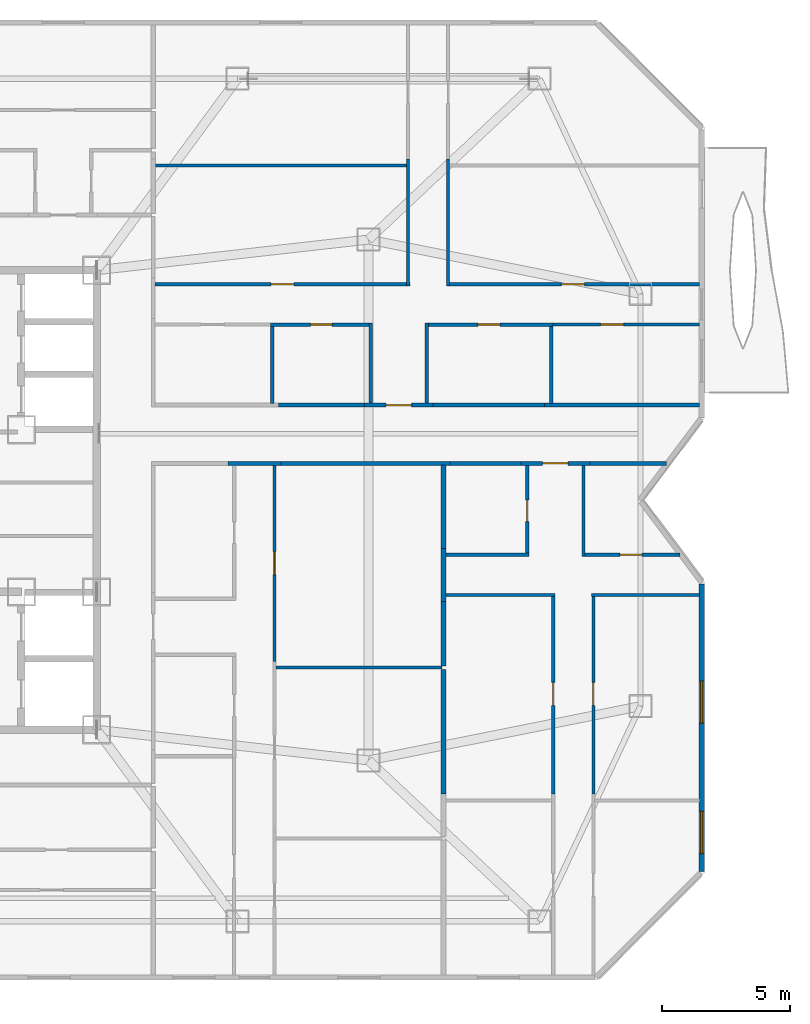
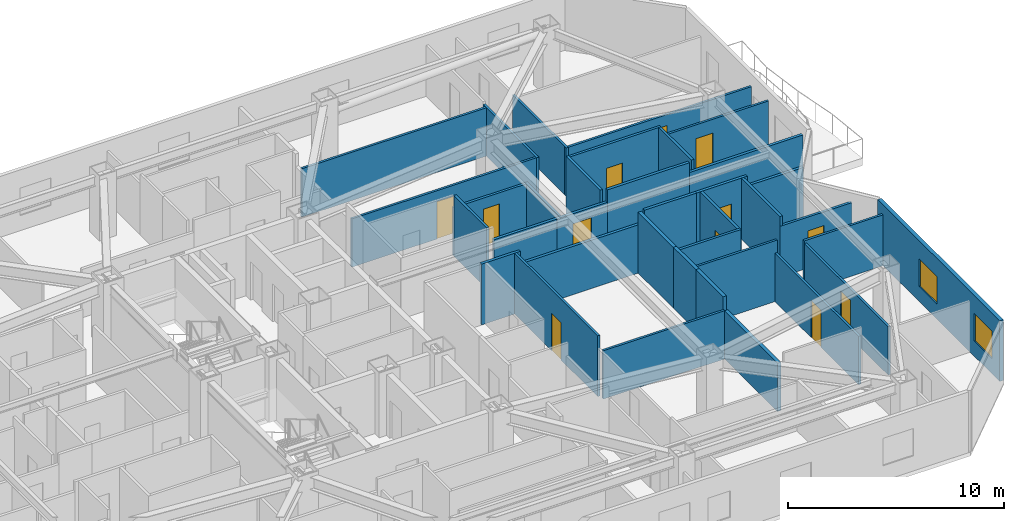
# One storey, part 15 of 18: 36 walls, 12 doors, 2 windows, 14 openings.
"""IFC4 building model written with IfcOpenShell, lengths in metres."""

import ifcopenshell
import ifcopenshell.guid

model = None  # the IFC model being written
_history = None  # IfcOwnerHistory: only IFC2X3 demands one
_inside = {}  # id of a spatial element -> (the spatial element, [elements in it])
_under = {}  # id of a project, library or spatial element -> (it, [spatial elements below it])
_declared = {}  # id of a project -> (the project, [libraries it declares])
_typed = {}  # id of a type object -> (the type object, [elements of that type])
_made_of = {}  # id of a material, layer set ... -> (it, [elements and type objects made of it])


def new_model(schema):
    """Start an empty IFC model of exactly this schema.

    Asked for "IFC4X3", IfcOpenShell would pick the latest addendum, in which some entities
    have other attributes; the version numbers below select the first issue.
    IFC2X3 requires an IfcOwnerHistory on every rooted entity: one is made here for all.
    """
    global model, _history
    if schema == "IFC4X3":
        model = ifcopenshell.file(schema_version=(4, 3, 0, 0))
    else:
        model = ifcopenshell.file(schema=schema)
    _inside.clear()
    _under.clear()
    _declared.clear()
    _typed.clear()
    _made_of.clear()
    _history = None
    if model.schema == "IFC2X3":
        org = make("IfcOrganization", Name="unknown")
        user = make(
            "IfcPersonAndOrganization",
            ThePerson=make("IfcPerson", FamilyName="unknown"),
            TheOrganization=org,
        )
        app = make(
            "IfcApplication",
            ApplicationDeveloper=org,
            Version="unknown",
            ApplicationFullName="unknown",
            ApplicationIdentifier="unknown",
        )
        _history = make(
            "IfcOwnerHistory",
            OwningUser=user,
            OwningApplication=app,
            ChangeAction="ADDED",
            CreationDate=0,
        )
    return model


def make(cls, **values):
    """One entity of the class cls with the attributes given. An attribute that is None is left unset."""
    return model.create_entity(
        cls, **{name: value for name, value in values.items() if value is not None}
    )


def rooted(cls, **values):
    """An entity with a GlobalId (a new one), such as an element, a storey or a relation."""
    return make(cls, GlobalId=ifcopenshell.guid.new(), OwnerHistory=_history, **values)


def si_unit(unit_type, name, prefix=None):
    """IfcSIUnit, for example si_unit("LENGTHUNIT", "METRE", prefix="MILLI")."""
    return make("IfcSIUnit", UnitType=unit_type, Prefix=prefix, Name=name)


def assignment(units):
    """IfcUnitAssignment: the units of a project."""
    return None if units is None else make("IfcUnitAssignment", Units=units)


def point(xyz):
    """IfcCartesianPoint."""
    return None if xyz is None else make("IfcCartesianPoint", Coordinates=xyz)


def direction(xyz):
    """IfcDirection."""
    return None if xyz is None else make("IfcDirection", DirectionRatios=xyz)


def frame(location, z_axis=None, x_axis=None):
    """IfcAxis2Placement3D, a coordinate frame: its origin and axes. An axis left out is left unset."""
    return make(
        "IfcAxis2Placement3D",
        Location=point(location),
        Axis=direction(z_axis),
        RefDirection=direction(x_axis),
    )


def frame_2d(location, x_axis=None):
    """IfcAxis2Placement2D, a coordinate frame in the plane: its origin and x axis."""
    return make(
        "IfcAxis2Placement2D", Location=point(location), RefDirection=direction(x_axis)
    )


def origin():
    """The frame at (0, 0, 0) with its axes left unset."""
    return frame((0.0, 0.0, 0.0))


def place(relative_to, where):
    """IfcLocalPlacement: puts the frame where relative to a parent placement (None: the world)."""
    return make(
        "IfcLocalPlacement", PlacementRelTo=relative_to, RelativePlacement=where
    )


def context(
    kind, dimensions, precision=None, world=None, true_north=None, identifier=None
):
    """IfcGeometricRepresentationContext, for example the 3D "Model" context."""
    return make(
        "IfcGeometricRepresentationContext",
        ContextIdentifier=identifier,
        ContextType=kind,
        CoordinateSpaceDimension=dimensions,
        Precision=precision,
        WorldCoordinateSystem=world,
        TrueNorth=true_north,
    )


def subcontext(parent, identifier, kind, view, scale=None):
    """IfcGeometricRepresentationSubContext, for example "Body" below "Model"."""
    return make(
        "IfcGeometricRepresentationSubContext",
        ContextIdentifier=identifier,
        ContextType=kind,
        ParentContext=parent,
        TargetScale=scale,
        TargetView=view,
    )


def project(units=None, contexts=None):
    """IfcProject with its units and contexts."""
    return rooted(
        "IfcProject",
        Name="project",
        RepresentationContexts=contexts,
        UnitsInContext=assignment(units),
    )


def spatial(cls, under=None, at=None, **own):
    """A site, building, storey or space (cls), placed at a placement, below another one or the project."""
    s = rooted(cls, ObjectPlacement=at, **own)
    if under is not None:
        _under.setdefault(under.id(), (under, []))[1].append(s)
    return s


def profile(cls, at=None, kind="AREA", **sizes):
    """A parametric profile (cls). Its sizes go by their IFC names, for example OverallWidth=200.0."""
    return make(cls, ProfileType=kind, Position=at, **sizes)


def rectangle(**sizes):
    """IfcRectangleProfileDef."""
    return profile("IfcRectangleProfileDef", **sizes)


def extrude(swept, where, along, depth):
    """IfcExtrudedAreaSolid: the profile swept, set in the frame where, extruded along a direction by depth."""
    return make(
        "IfcExtrudedAreaSolid",
        SweptArea=swept,
        Position=where,
        ExtrudedDirection=direction(along),
        Depth=depth,
    )


def shape(context_of_items, identifier, shape_type, items):
    """IfcShapeRepresentation: the items that make up one representation, for example the "Body"."""
    return make(
        "IfcShapeRepresentation",
        ContextOfItems=context_of_items,
        RepresentationIdentifier=identifier,
        RepresentationType=shape_type,
        Items=items,
    )


def material(Name=None, Category=None):
    """IfcMaterial."""
    return make("IfcMaterial", Name=Name, Category=Category)


def layer(
    of_material, thickness, ventilated=None, Name=None, Category=None, Priority=None
):
    """IfcMaterialLayer: one layer of a wall or slab, of a material (None: an air gap)."""
    return make(
        "IfcMaterialLayer",
        Material=of_material,
        LayerThickness=thickness,
        IsVentilated=ventilated,
        Name=Name,
        Category=Category,
        Priority=Priority,
    )


def layer_set(layers, Name=None):
    """IfcMaterialLayerSet."""
    return make("IfcMaterialLayerSet", MaterialLayers=layers, LayerSetName=Name)


def made_of(thing, what):
    """Note that an element or type object is made of a material, layer set ...; save() writes the relation."""
    if what is not None:
        _made_of.setdefault(what.id(), (what, []))[1].append(thing)
    return thing


def type_object(cls, material=None, **own):
    """A type object (cls), such as IfcWallType, which elements share."""
    return made_of(rooted(cls, **own), material)


def element(
    cls,
    number,
    at=None,
    inside=None,
    cuts=None,
    type_object=None,
    material=None,
    context=None,
    identifier="Body",
    shape_type=None,
    held_by="IfcProductDefinitionShape",
    body=None,
    shapes=None,
    **own,
):
    """One element of the class cls, such as IfcWall. Its Tag is "e" and its number.

    at: its placement. inside: the storey or other place that contains it. cuts: it is an
    opening in that element (IfcRelVoidsElement). A single representation is given by context,
    identifier, shape_type and body (its items); several are given by shapes. held_by: the class
    of the entity that holds the representations. save() writes the other relations.
    """
    e = rooted(cls, Tag="e%d" % number, ObjectPlacement=at, **own)
    if body is not None:
        shapes = [shape(context, identifier, shape_type, body)]
    if shapes is not None:
        e.Representation = make(held_by, Representations=shapes)
    if inside is not None:
        _inside.setdefault(inside.id(), (inside, []))[1].append(e)
    if cuts is not None:
        rooted(
            "IfcRelVoidsElement", RelatingBuildingElement=cuts, RelatedOpeningElement=e
        )
    if type_object is not None:
        _typed.setdefault(type_object.id(), (type_object, []))[1].append(e)
    return made_of(e, material)


def fill(opening, filler):
    """IfcRelFillsElement: the door or window that sits in an opening."""
    return rooted(
        "IfcRelFillsElement",
        RelatingOpeningElement=opening,
        RelatedBuildingElement=filler,
    )


def aggregate(whole, parts):
    """IfcRelAggregates: a whole, such as a stair, and the parts it consists of."""
    return rooted("IfcRelAggregates", RelatingObject=whole, RelatedObjects=parts)


def save(model, path):
    """Write the relations noted so far, then the file.

    IfcRelAggregates (storeys below a building ...), IfcRelContainedInSpatialStructure (elements
    in a storey), IfcRelDefinesByType, IfcRelAssociatesMaterial and IfcRelDeclares: one each for
    every whole, place, type object, material and project.
    """
    for whole, parts in _under.values():
        aggregate(whole, parts)
    for where, things in _inside.values():
        rooted(
            "IfcRelContainedInSpatialStructure",
            RelatedElements=things,
            RelatingStructure=where,
        )
    for kind, things in _typed.values():
        rooted("IfcRelDefinesByType", RelatedObjects=things, RelatingType=kind)
    for what, things in _made_of.values():
        rooted("IfcRelAssociatesMaterial", RelatedObjects=things, RelatingMaterial=what)
    for by, libraries in _declared.values():
        rooted("IfcRelDeclares", RelatingContext=by, RelatedDefinitions=libraries)
    model.write(path)


model = new_model("IFC4")

# Units and contexts
model_context = context("Model", 3, precision=1e-05, world=origin(), true_north=direction((0.0, 1.0)))
body_context = subcontext(model_context, "Body", "Model", "MODEL_VIEW")
ifc_project = project(units=[si_unit("LENGTHUNIT", "METRE"), si_unit("AREAUNIT", "SQUARE_METRE"), si_unit("VOLUMEUNIT", "CUBIC_METRE"), si_unit("PLANEANGLEUNIT", "RADIAN"), si_unit("MASSUNIT", "GRAM", prefix="KILO")], contexts=[model_context])

# Site, building, storey
site_placement = place(None, origin())
site = spatial("IfcSite", under=ifc_project, at=site_placement, CompositionType="ELEMENT")
building_placement = place(site_placement, origin())
building = spatial("IfcBuilding", under=site, at=building_placement, Name="Khamvora Tower", CompositionType="ELEMENT")
storey_placement = place(building_placement, frame((0.0, 0.0, 181.449951171875)))
storey = spatial("IfcBuildingStorey", under=building, at=storey_placement, Name="L46", CompositionType="ELEMENT", Elevation=181.449951171875)

# Walls
ifc_material_1 = material(Name="Fire-Rated Drywall and Steel Stud", Category="steel")
ifc_layer_1 = layer(ifc_material_1, 0.14990234375)
ifc_layer_set_1 = layer_set([ifc_layer_1], Name="Fire-Rated Drywall and Steel Stud")
wall_type_1 = type_object("IfcWallType", Name="WAL-CORR-150", PredefinedType="STANDARD", material=ifc_layer_set_1)
wall_1_placement = place(storey_placement, frame((46.616943359375, 29.43505859375, 0.0), z_axis=(0.0, 0.0, 1.0), x_axis=(-1.0, 0.0, 0.0)))
element("IfcWall", 1, at=wall_1_placement, inside=storey, type_object=wall_type_1, Name="L46 interior partition wall 026", PredefinedType="STANDARD", context=body_context, shape_type="SweptSolid", body=[
    extrude(rectangle(XDim=2.077880859375, YDim=0.14990234375, at=frame_2d((1.0390625, 0.0))), origin(), (0.0, 0.0, 1.0), 3.429931640625),
])
wall_2_placement = place(storey_placement, frame((53.23388671875, 29.43505859375, 0.0), z_axis=(0.0, 0.0, 1.0), x_axis=(-1.0, 0.0, 0.0)))
element("IfcWall", 2, at=wall_2_placement, inside=storey, type_object=wall_type_1, Name="L46 interior partition wall 031", PredefinedType="STANDARD", context=body_context, shape_type="SweptSolid", body=[
    extrude(rectangle(XDim=6.616943359375, YDim=0.14990234375, at=frame_2d((3.30859375, 0.0))), origin(), (0.0, 0.0, 1.0), 2.72509765625),
])

# Wall, opening, door
wall_3_placement = place(storey_placement, frame((58.718994140625, 29.43505859375, 0.0), z_axis=(0.0, 0.0, 1.0), x_axis=(-1.0, 0.0, 0.0)))
wall_3 = element("IfcWall", 3, at=wall_3_placement, inside=storey, type_object=wall_type_1, Name="L46 interior partition wall 032", PredefinedType="STANDARD", context=body_context, shape_type="SweptSolid", body=[
    extrude(rectangle(XDim=2.697998046875, YDim=0.14990234375, at=frame_2d((1.34912109375, 0.0))), origin(), (0.0, 0.0, 1.0), 3.429931640625),
])
opening_1_placement = place(wall_3_placement, frame((0.84912109375, 0.0, 0.0)))
opening_1 = element("IfcOpeningElement", 4, at=opening_1_placement, cuts=wall_3, Name="Opening D-U1", PredefinedType="OPENING", context=body_context, shape_type="SweptSolid", body=[
    extrude(rectangle(XDim=1.0, YDim=2.14990234375, at=frame_2d((0.5, 1.074951171875))), frame((0.0, 0.0849609375, 0.0), z_axis=(0.0, -1.0, 0.0), x_axis=(1.0, 0.0, 0.0)), (0.0, 0.0, 1.0), 0.169921875),
])
ifc_material_2 = material(Name="Powder-Coated Steel and Hardwood Leaf", Category="steel")
door_type_1 = type_object("IfcDoorType", Name="DOR-UNIT-1000", OperationType="NOTDEFINED", PredefinedType="DOOR", material=ifc_material_2)
door_1_placement = place(opening_1_placement, origin())
door_1 = element("IfcDoor", 5, at=door_1_placement, inside=storey, type_object=door_type_1, Name="L46 interior door COR-46EBH", OperationType="SINGLE_SWING_LEFT", OverallHeight=2.14990234375, OverallWidth=1.0, PredefinedType="DOOR", context=body_context, shape_type="SweptSolid", body=[
    extrude(rectangle(XDim=1.0, YDim=2.14990234375, at=frame_2d((0.5, 1.074951171875))), frame((0.0, 0.02490234375, 0.0), z_axis=(0.0, -1.0, 0.0), x_axis=(1.0, 0.0, 0.0)), (0.0, 0.0, 1.0), 0.050048828125),
])
fill(opening_1, door_1)

# Walls
wall_4_placement = place(storey_placement, frame((61.72509765625, 29.43505859375, 0.0), z_axis=(0.0, 0.0, 1.0), x_axis=(-1.0, 0.0, 0.0)))
element("IfcWall", 6, at=wall_4_placement, inside=storey, type_object=wall_type_1, Name="L46 interior partition wall 033", PredefinedType="STANDARD", context=body_context, shape_type="SweptSolid", body=[
    extrude(rectangle(XDim=3.006103515625, YDim=0.14990234375, at=frame_2d((1.5029296875, 0.0))), origin(), (0.0, 0.0, 1.0), 2.8759765625),
])
wall_5_placement = place(storey_placement, frame((56.02099609375, 29.43505859375, 0.0), z_axis=(0.0, 0.0, 1.0), x_axis=(-1.0, 0.0, 0.0)))
element("IfcWall", 7, at=wall_5_placement, inside=storey, type_object=wall_type_1, Name="L46 interior partition wall 034", PredefinedType="STANDARD", context=body_context, shape_type="SweptSolid", body=[
    extrude(rectangle(XDim=2.787109375, YDim=0.14990234375, at=frame_2d((1.3935546875, 0.0))), origin(), (0.0, 0.0, 1.0), 3.429931640625),
])
wall_6_placement = place(storey_placement, frame((56.950927734375, 31.715087890625, 0.0), z_axis=(0.0, 0.0, 1.0), x_axis=(1.0, 0.0, 0.0)))
element("IfcWall", 8, at=wall_6_placement, inside=storey, type_object=wall_type_1, Name="L46 interior partition wall 037", PredefinedType="STANDARD", context=body_context, shape_type="SweptSolid", body=[
    extrude(rectangle(XDim=6.05712890625, YDim=0.14990234375, at=frame_2d((3.028564453125, 0.0))), origin(), (0.0, 0.0, 1.0), 2.8759765625),
])

# Wall, opening, door
wall_7_placement = place(storey_placement, frame((49.885986328125, 31.715087890625, 0.0), z_axis=(0.0, 0.0, 1.0), x_axis=(1.0, 0.0, 0.0)))
wall_7 = element("IfcWall", 9, at=wall_7_placement, inside=storey, type_object=wall_type_1, Name="L46 interior partition wall 039", PredefinedType="STANDARD", context=body_context, shape_type="SweptSolid", body=[
    extrude(rectangle(XDim=2.697998046875, YDim=0.14990234375, at=frame_2d((1.34912109375, 0.0))), origin(), (0.0, 0.0, 1.0), 2.72509765625),
])
opening_2_placement = place(wall_7_placement, frame((0.84912109375, 0.0, 0.0)))
opening_2 = element("IfcOpeningElement", 10, at=opening_2_placement, cuts=wall_7, Name="Opening D-U1", PredefinedType="OPENING", context=body_context, shape_type="SweptSolid", body=[
    extrude(rectangle(XDim=1.0, YDim=2.14990234375, at=frame_2d((0.5, 1.074951171875))), frame((0.0, 0.0849609375, 0.0), z_axis=(0.0, -1.0, 0.0), x_axis=(1.0, 0.0, 0.0)), (0.0, 0.0, 1.0), 0.169921875),
])
door_2_placement = place(opening_2_placement, origin())
door_2 = element("IfcDoor", 11, at=door_2_placement, inside=storey, type_object=door_type_1, Name="L46 interior door COR-46ECH", OperationType="SINGLE_SWING_RIGHT", OverallHeight=2.14990234375, OverallWidth=1.0, PredefinedType="DOOR", context=body_context, shape_type="SweptSolid", body=[
    extrude(rectangle(XDim=1.0, YDim=2.14990234375, at=frame_2d((0.5, 1.074951171875))), frame((0.0, 0.02490234375, 0.0), z_axis=(0.0, -1.0, 0.0), x_axis=(1.0, 0.0, 0.0)), (0.0, 0.0, 1.0), 0.050048828125),
])
fill(opening_2, door_2)

# Walls
wall_8_placement = place(storey_placement, frame((46.51904296875, 31.715087890625, 0.0), z_axis=(0.0, 0.0, 1.0), x_axis=(1.0, 0.0, 0.0)))
element("IfcWall", 12, at=wall_8_placement, inside=storey, type_object=wall_type_1, Name="L46 interior partition wall 040", PredefinedType="STANDARD", context=body_context, shape_type="SweptSolid", body=[
    extrude(rectangle(XDim=3.366943359375, YDim=0.14990234375, at=frame_2d((1.68359375, 0.0))), origin(), (0.0, 0.0, 1.0), 2.72509765625),
])
wall_9_placement = place(storey_placement, frame((52.583984375, 31.715087890625, 0.0), z_axis=(0.0, 0.0, 1.0), x_axis=(1.0, 0.0, 0.0)))
element("IfcWall", 13, at=wall_9_placement, inside=storey, type_object=wall_type_1, Name="L46 interior partition wall 041", PredefinedType="STANDARD", context=body_context, shape_type="SweptSolid", body=[
    extrude(rectangle(XDim=4.366943359375, YDim=0.14990234375, at=frame_2d((2.18359375, 0.0))), origin(), (0.0, 0.0, 1.0), 3.429931640625),
])
ifc_material_3 = material(Name="Acoustic Double-Stud Fire Wall", Category="gypsum")
ifc_layer_2 = layer(ifc_material_3, 0.179931640625)
ifc_layer_set_2 = layer_set([ifc_layer_2], Name="Acoustic Double-Stud Fire Wall")
wall_type_2 = type_object("IfcWallType", Name="WAL-CORR-180", PredefinedType="STANDARD", material=ifc_layer_set_2)
wall_10_placement = place(storey_placement, frame((52.985107421875, 21.367919921875, 0.0), z_axis=(0.0, 0.0, 1.0), x_axis=(0.0, -1.0, 0.0)))
element("IfcWall", 14, at=wall_10_placement, inside=storey, type_object=wall_type_2, Name="L46 interior partition wall 111", PredefinedType="STANDARD", context=body_context, shape_type="SweptSolid", body=[
    extrude(rectangle(XDim=4.887939453125, YDim=0.179931640625, at=frame_2d((2.44384765625, 0.0))), origin(), (0.0, 0.0, 1.0), 2.72509765625),
])
wall_11_placement = place(storey_placement, frame((52.985107421875, 26.10400390625, 0.0), z_axis=(0.0, 0.0, 1.0), x_axis=(0.0, -1.0, 0.0)))
element("IfcWall", 15, at=wall_11_placement, inside=storey, type_object=wall_type_2, Name="L46 interior partition wall 112", PredefinedType="STANDARD", context=body_context, shape_type="SweptSolid", body=[
    extrude(rectangle(XDim=2.078125, YDim=0.179931640625, at=frame_2d((1.0390625, 0.0))), origin(), (0.0, 0.0, 1.0), 3.429931640625),
])
wall_12_placement = place(storey_placement, frame((52.985107421875, 29.367919921875, 0.0), z_axis=(0.0, 0.0, 1.0), x_axis=(0.0, -1.0, 0.0)))
element("IfcWall", 16, at=wall_12_placement, inside=storey, type_object=wall_type_2, Name="L46 interior partition wall 113", PredefinedType="STANDARD", context=body_context, shape_type="SweptSolid", body=[
    extrude(rectangle(XDim=3.263916015625, YDim=0.179931640625, at=frame_2d((1.6318359375, 0.0))), origin(), (0.0, 0.0, 1.0), 3.429931640625),
])
wall_13_placement = place(storey_placement, frame((52.985107421875, 24.02587890625, 0.0), z_axis=(0.0, 0.0, 1.0), x_axis=(0.0, -1.0, 0.0)))
element("IfcWall", 17, at=wall_13_placement, inside=storey, type_object=wall_type_2, Name="L46 interior partition wall 114", PredefinedType="STANDARD", context=body_context, shape_type="SweptSolid", body=[
    extrude(rectangle(XDim=2.52783203125, YDim=0.179931640625, at=frame_2d((1.263916015625, 0.0))), origin(), (0.0, 0.0, 1.0), 3.429931640625),
])

# Wall, openings, windows
ifc_material_4 = material(Name="Precast concrete C40/50", Category="concrete")
ifc_layer_3 = layer(ifc_material_4, 0.199951171875)
ifc_layer_set_3 = layer_set([ifc_layer_3], Name="Precast concrete C40/50")
wall_type_3 = type_object("IfcWallType", Name="WAL-EXT-200", PredefinedType="STANDARD", material=ifc_layer_set_3)
wall_14_placement = place(storey_placement, frame((63.10009765625, 24.717041015625, 0.0), z_axis=(0.0, 0.0, 1.0), x_axis=(0.0, -1.0, 0.0)))
wall_14 = element("IfcWall", 18, at=wall_14_placement, inside=storey, type_object=wall_type_3, Name="L46 exterior facade wall 12.1", PredefinedType="STANDARD", context=body_context, shape_type="SweptSolid", body=[
    extrude(rectangle(XDim=11.276123046875, YDim=0.199951171875, at=frame_2d((5.63818359375, 0.0))), origin(), (0.0, 0.0, 1.0), 3.429931640625),
])
opening_3_placement = place(wall_14_placement, frame((8.9140625, 0.0, 0.85009765625)))
opening_3 = element("IfcOpeningElement", 19, at=opening_3_placement, cuts=wall_14, Name="Opening WN-06", PredefinedType="OPENING", context=body_context, shape_type="SweptSolid", body=[
    extrude(rectangle(XDim=1.64990234375, YDim=1.550048828125, at=frame_2d((0.824951171875, 0.77490234375))), frame((0.0, 0.10986328125, 0.0), z_axis=(0.0, -1.0, 0.0), x_axis=(1.0, 0.0, 0.0)), (0.0, 0.0, 1.0), 0.219970703125),
])
opening_4_placement = place(wall_14_placement, frame((3.81005859375, 0.0, 0.85009765625)))
opening_4 = element("IfcOpeningElement", 20, at=opening_4_placement, cuts=wall_14, Name="Opening WN-06", PredefinedType="OPENING", context=body_context, shape_type="SweptSolid", body=[
    extrude(rectangle(XDim=1.64990234375, YDim=1.550048828125, at=frame_2d((0.824951171875, 0.77490234375))), frame((0.0, 0.10986328125, 0.0), z_axis=(0.0, -1.0, 0.0), x_axis=(1.0, 0.0, 0.0)), (0.0, 0.0, 1.0), 0.219970703125),
])
ifc_material_5 = material(Name="Low-E Laminated Double Glazing", Category="glass")
window_type = type_object("IfcWindowType", Name="WIN-VIS-1650x1550", PartitioningType="SINGLE_PANEL", PredefinedType="WINDOW", material=ifc_material_5)
window_1_placement = place(opening_3_placement, origin())
window_1 = element("IfcWindow", 21, at=window_1_placement, inside=storey, type_object=window_type, Name="L46 vision window 12.1.01", OverallHeight=1.550048828125, OverallWidth=1.64990234375, PartitioningType="SINGLE_PANEL", PredefinedType="WINDOW", context=body_context, shape_type="SweptSolid", body=[
    extrude(rectangle(XDim=1.64990234375, YDim=1.550048828125, at=frame_2d((0.824951171875, 0.77490234375))), frame((0.0, 0.030029296875, 0.0), z_axis=(0.0, -1.0, 0.0), x_axis=(1.0, 0.0, 0.0)), (0.0, 0.0, 1.0), 0.06005859375),
])
fill(opening_3, window_1)
window_2_placement = place(opening_4_placement, origin())
window_2 = element("IfcWindow", 22, at=window_2_placement, inside=storey, type_object=window_type, Name="L46 vision window 12.1.02", OverallHeight=1.550048828125, OverallWidth=1.64990234375, PartitioningType="SINGLE_PANEL", PredefinedType="WINDOW", context=body_context, shape_type="SweptSolid", body=[
    extrude(rectangle(XDim=1.64990234375, YDim=1.550048828125, at=frame_2d((0.824951171875, 0.77490234375))), frame((0.0, 0.030029296875, 0.0), z_axis=(0.0, -1.0, 0.0), x_axis=(1.0, 0.0, 0.0)), (0.0, 0.0, 1.0), 0.06005859375),
])
fill(opening_4, window_2)

# Wall, opening, door
ifc_material_6 = material(Name="Gypsum Plasterboard Partition", Category="gypsum")
ifc_layer_4 = layer(ifc_material_6, 0.1201171875)
ifc_layer_set_4 = layer_set([ifc_layer_4], Name="Gypsum Plasterboard Partition")
wall_type_4 = type_object("IfcWallType", Name="WAL-PART-120", PredefinedType="PARTITIONING", material=ifc_layer_set_4)
wall_15_placement = place(storey_placement, frame((46.367919921875, 29.367919921875, 0.0), z_axis=(0.0, 0.0, 1.0), x_axis=(0.0, -1.0, 0.0)))
wall_15 = element("IfcWall", 23, at=wall_15_placement, inside=storey, type_object=wall_type_4, Name="L46 interior partition wall 106", PredefinedType="PARTITIONING", context=body_context, shape_type="SweptSolid", body=[
    extrude(rectangle(XDim=7.68603515625, YDim=0.1201171875, at=frame_2d((3.843017578125, 0.0))), origin(), (0.0, 0.0, 1.0), 3.429931640625),
])
opening_5_placement = place(wall_15_placement, frame((3.39306640625, 0.0, 0.0)))
opening_5 = element("IfcOpeningElement", 24, at=opening_5_placement, cuts=wall_15, Name="Opening D-RM1", PredefinedType="OPENING", context=body_context, shape_type="SweptSolid", body=[
    extrude(rectangle(XDim=0.89990234375, YDim=2.10009765625, at=frame_2d((0.449951171875, 1.050048828125))), frame((0.0, 0.070068359375, 0.0), z_axis=(0.0, -1.0, 0.0), x_axis=(1.0, 0.0, 0.0)), (0.0, 0.0, 1.0), 0.14013671875),
])
door_type_2 = type_object("IfcDoorType", Name="DOR-ROOM-900", OperationType="NOTDEFINED", PredefinedType="DOOR", material=ifc_material_2)
door_3_placement = place(opening_5_placement, origin())
door_3 = element("IfcDoor", 25, at=door_3_placement, inside=storey, type_object=door_type_2, Name="L46 interior door 46EAH-46EAR3", OperationType="SINGLE_SWING_RIGHT", OverallHeight=2.10009765625, OverallWidth=0.89990234375, PredefinedType="DOOR", context=body_context, shape_type="SweptSolid", body=[
    extrude(rectangle(XDim=0.89990234375, YDim=2.10009765625, at=frame_2d((0.449951171875, 1.050048828125))), frame((0.0, 0.02490234375, 0.0), z_axis=(0.0, -1.0, 0.0), x_axis=(1.0, 0.0, 0.0)), (0.0, 0.0, 1.0), 0.050048828125),
])
fill(opening_5, door_3)

# Wall
wall_16_placement = place(storey_placement, frame((46.422119140625, 21.43310546875, 0.0), z_axis=(0.0, 0.0, 1.0), x_axis=(1.0, 0.0, 0.0)))
element("IfcWall", 26, at=wall_16_placement, inside=storey, type_object=wall_type_4, Name="L46 interior partition wall 109", PredefinedType="PARTITIONING", context=body_context, shape_type="SweptSolid", body=[
    extrude(rectangle(XDim=6.497802734375, YDim=0.1201171875, at=frame_2d((3.2490234375, 0.0))), origin(), (0.0, 0.0, 1.0), 2.72509765625),
])

# Wall, opening, door
wall_17_placement = place(storey_placement, frame((57.284912109375, 16.47998046875, 0.0), z_axis=(0.0, 0.0, 1.0), x_axis=(0.0, 1.0, 0.0)))
wall_17 = element("IfcWall", 27, at=wall_17_placement, inside=storey, type_object=wall_type_4, Name="L46 interior partition wall 120", PredefinedType="PARTITIONING", context=body_context, shape_type="SweptSolid", body=[
    extrude(rectangle(XDim=7.860107421875, YDim=0.1201171875, at=frame_2d((3.93017578125, 0.0))), origin(), (0.0, 0.0, 1.0), 2.72509765625),
])
opening_6_placement = place(wall_17_placement, frame((3.47998046875, 0.0, 0.0)))
opening_6 = element("IfcOpeningElement", 28, at=opening_6_placement, cuts=wall_17, Name="Opening D-RM1", PredefinedType="OPENING", context=body_context, shape_type="SweptSolid", body=[
    extrude(rectangle(XDim=0.89990234375, YDim=2.10009765625, at=frame_2d((0.449951171875, 1.050048828125))), frame((0.0, 0.070068359375, 0.0), z_axis=(0.0, -1.0, 0.0), x_axis=(1.0, 0.0, 0.0)), (0.0, 0.0, 1.0), 0.14013671875),
])
door_4_placement = place(opening_6_placement, origin())
door_4 = element("IfcDoor", 29, at=door_4_placement, inside=storey, type_object=door_type_2, Name="L46 interior door 46EBH-46EBR2", OperationType="SINGLE_SWING_RIGHT", OverallHeight=2.10009765625, OverallWidth=0.89990234375, PredefinedType="DOOR", context=body_context, shape_type="SweptSolid", body=[
    extrude(rectangle(XDim=0.89990234375, YDim=2.10009765625, at=frame_2d((0.449951171875, 1.050048828125))), frame((0.0, 0.02490234375, 0.0), z_axis=(0.0, -1.0, 0.0), x_axis=(1.0, 0.0, 0.0)), (0.0, 0.0, 1.0), 0.050048828125),
])
fill(opening_6, door_4)

# Wall
wall_18_placement = place(storey_placement, frame((57.35009765625, 24.27490234375, 0.0), z_axis=(0.0, 0.0, 1.0), x_axis=(-1.0, 0.0, 0.0)))
element("IfcWall", 30, at=wall_18_placement, inside=storey, type_object=wall_type_4, Name="L46 interior partition wall 121", PredefinedType="PARTITIONING", context=body_context, shape_type="SweptSolid", body=[
    extrude(rectangle(XDim=4.283203125, YDim=0.1201171875, at=frame_2d((2.1416015625, 0.0))), origin(), (0.0, 0.0, 1.0), 3.429931640625),
])

# Wall, opening, door
wall_19_placement = place(storey_placement, frame((58.85498046875, 24.340087890625, 0.0), z_axis=(0.0, 0.0, 1.0), x_axis=(0.0, -1.0, 0.0)))
wall_19 = element("IfcWall", 31, at=wall_19_placement, inside=storey, type_object=wall_type_4, Name="L46 interior partition wall 123", PredefinedType="PARTITIONING", context=body_context, shape_type="SweptSolid", body=[
    extrude(rectangle(XDim=7.860107421875, YDim=0.1201171875, at=frame_2d((3.93017578125, 0.0))), origin(), (0.0, 0.0, 1.0), 2.72509765625),
])
opening_7_placement = place(wall_19_placement, frame((3.47998046875, 0.0, 0.0)))
opening_7 = element("IfcOpeningElement", 32, at=opening_7_placement, cuts=wall_19, Name="Opening D-RM1", PredefinedType="OPENING", context=body_context, shape_type="SweptSolid", body=[
    extrude(rectangle(XDim=0.89990234375, YDim=2.10009765625, at=frame_2d((0.449951171875, 1.050048828125))), frame((0.0, 0.070068359375, 0.0), z_axis=(0.0, -1.0, 0.0), x_axis=(1.0, 0.0, 0.0)), (0.0, 0.0, 1.0), 0.14013671875),
])
door_5_placement = place(opening_7_placement, origin())
door_5 = element("IfcDoor", 33, at=door_5_placement, inside=storey, type_object=door_type_2, Name="L46 interior door 46EBH-46EBR4", OperationType="SINGLE_SWING_RIGHT", OverallHeight=2.10009765625, OverallWidth=0.89990234375, PredefinedType="DOOR", context=body_context, shape_type="SweptSolid", body=[
    extrude(rectangle(XDim=0.89990234375, YDim=2.10009765625, at=frame_2d((0.449951171875, 1.050048828125))), frame((0.0, 0.02490234375, 0.0), z_axis=(0.0, -1.0, 0.0), x_axis=(1.0, 0.0, 0.0)), (0.0, 0.0, 1.0), 0.050048828125),
])
fill(opening_7, door_5)

# Wall
wall_20_placement = place(storey_placement, frame((63.008056640625, 24.27490234375, 0.0), z_axis=(0.0, 0.0, 1.0), x_axis=(-1.0, 0.0, 0.0)))
element("IfcWall", 34, at=wall_20_placement, inside=storey, type_object=wall_type_4, Name="L46 interior partition wall 124", PredefinedType="PARTITIONING", context=body_context, shape_type="SweptSolid", body=[
    extrude(rectangle(XDim=4.218017578125, YDim=0.1201171875, at=frame_2d((2.10888671875, 0.0))), origin(), (0.0, 0.0, 1.0), 2.8759765625),
])

# Wall, opening, door
wall_21_placement = place(storey_placement, frame((57.264892578125, 34.868896484375, 0.0), z_axis=(0.0, 0.0, 1.0), x_axis=(1.0, 0.0, 0.0)))
wall_21 = element("IfcWall", 35, at=wall_21_placement, inside=storey, type_object=wall_type_4, Name="L46 interior partition wall 129", PredefinedType="PARTITIONING", context=body_context, shape_type="SweptSolid", body=[
    extrude(rectangle(XDim=5.7431640625, YDim=0.1201171875, at=frame_2d((2.87158203125, 0.0))), origin(), (0.0, 0.0, 1.0), 2.8759765625),
])
opening_8_placement = place(wall_21_placement, frame((1.8779296875, 0.0, 0.0)))
opening_8 = element("IfcOpeningElement", 36, at=opening_8_placement, cuts=wall_21, Name="Opening D-RM1", PredefinedType="OPENING", context=body_context, shape_type="SweptSolid", body=[
    extrude(rectangle(XDim=0.89990234375, YDim=2.10009765625, at=frame_2d((0.449951171875, 1.050048828125))), frame((0.0, 0.070068359375, 0.0), z_axis=(0.0, -1.0, 0.0), x_axis=(1.0, 0.0, 0.0)), (0.0, 0.0, 1.0), 0.14013671875),
])
door_6_placement = place(opening_8_placement, origin())
door_6 = element("IfcDoor", 37, at=door_6_placement, inside=storey, type_object=door_type_2, Name="L46 interior door 46ECW2-46ECH", OperationType="SINGLE_SWING_LEFT", OverallHeight=2.10009765625, OverallWidth=0.89990234375, PredefinedType="DOOR", context=body_context, shape_type="SweptSolid", body=[
    extrude(rectangle(XDim=0.89990234375, YDim=2.10009765625, at=frame_2d((0.449951171875, 1.050048828125))), frame((0.0, 0.02490234375, 0.0), z_axis=(0.0, -1.0, 0.0), x_axis=(1.0, 0.0, 0.0)), (0.0, 0.0, 1.0), 0.050048828125),
])
fill(opening_8, door_6)

wall_22_placement = place(storey_placement, frame((41.681884765625, 36.448974609375, 0.0), z_axis=(0.0, 0.0, 1.0), x_axis=(1.0, 0.0, 0.0)))
wall_22 = element("IfcWall", 38, at=wall_22_placement, inside=storey, type_object=wall_type_4, Name="L46 interior partition wall 135", PredefinedType="PARTITIONING", context=body_context, shape_type="SweptSolid", body=[
    extrude(rectangle(XDim=9.983154296875, YDim=0.1201171875, at=frame_2d((4.99169921875, 0.0))), origin(), (0.0, 0.0, 1.0), 2.72509765625),
])
opening_9_placement = place(wall_22_placement, frame((4.5419921875, 0.0, 0.0)))
opening_9 = element("IfcOpeningElement", 39, at=opening_9_placement, cuts=wall_22, Name="Opening D-RM1", PredefinedType="OPENING", context=body_context, shape_type="SweptSolid", body=[
    extrude(rectangle(XDim=0.89990234375, YDim=2.10009765625, at=frame_2d((0.449951171875, 1.050048828125))), frame((0.0, 0.070068359375, 0.0), z_axis=(0.0, -1.0, 0.0), x_axis=(1.0, 0.0, 0.0)), (0.0, 0.0, 1.0), 0.14013671875),
])
door_7_placement = place(opening_9_placement, origin())
door_7 = element("IfcDoor", 40, at=door_7_placement, inside=storey, type_object=door_type_2, Name="L46 interior door 46ECH-46ECR1", OperationType="SINGLE_SWING_RIGHT", OverallHeight=2.10009765625, OverallWidth=0.89990234375, PredefinedType="DOOR", context=body_context, shape_type="SweptSolid", body=[
    extrude(rectangle(XDim=0.89990234375, YDim=2.10009765625, at=frame_2d((0.449951171875, 1.050048828125))), frame((0.0, 0.02490234375, 0.0), z_axis=(0.0, -1.0, 0.0), x_axis=(1.0, 0.0, 0.0)), (0.0, 0.0, 1.0), 0.050048828125),
])
fill(opening_9, door_7)

# Walls
for number, where, z_axis, x_axis, name in (
    (41, (51.60009765625, 36.384033203125, 0.0), (0.0, 0.0, 1.0), (0.0, 1.0, 0.0), "L46 interior partition wall 136"),
    (42, (53.169921875, 41.346923828125, 0.0), (0.0, 0.0, 1.0), (0.0, -1.0, 0.0), "L46 interior partition wall 138"),
):
    element("IfcWall", number, at=place(storey_placement, frame(where, z_axis=z_axis, x_axis=x_axis)), inside=storey, type_object=wall_type_4, Name=name, PredefinedType="PARTITIONING", context=body_context, shape_type="SweptSolid", body=[
        extrude(rectangle(XDim=4.962890625, YDim=0.1201171875, at=frame_2d((2.4814453125, 0.0))), origin(), (0.0, 0.0, 1.0), 2.72509765625),
    ])

# Wall, opening, door
wall_23_placement = place(storey_placement, frame((53.10498046875, 36.448974609375, 0.0), z_axis=(0.0, 0.0, 1.0), x_axis=(1.0, 0.0, 0.0)))
wall_23 = element("IfcWall", 43, at=wall_23_placement, inside=storey, type_object=wall_type_4, Name="L46 interior partition wall 139", PredefinedType="PARTITIONING", context=body_context, shape_type="SweptSolid", body=[
    extrude(rectangle(XDim=9.903076171875, YDim=0.1201171875, at=frame_2d((4.95166015625, 0.0))), origin(), (0.0, 0.0, 1.0), 2.72509765625),
])
opening_10_placement = place(wall_23_placement, frame((4.501953125, 0.0, 0.0)))
opening_10 = element("IfcOpeningElement", 44, at=opening_10_placement, cuts=wall_23, Name="Opening D-RM1", PredefinedType="OPENING", context=body_context, shape_type="SweptSolid", body=[
    extrude(rectangle(XDim=0.89990234375, YDim=2.10009765625, at=frame_2d((0.449951171875, 1.050048828125))), frame((0.0, 0.070068359375, 0.0), z_axis=(0.0, -1.0, 0.0), x_axis=(1.0, 0.0, 0.0)), (0.0, 0.0, 1.0), 0.14013671875),
])
door_8_placement = place(opening_10_placement, origin())
door_8 = element("IfcDoor", 45, at=door_8_placement, inside=storey, type_object=door_type_2, Name="L46 interior door 46ECH-46ECR3", OperationType="SINGLE_SWING_RIGHT", OverallHeight=2.10009765625, OverallWidth=0.89990234375, PredefinedType="DOOR", context=body_context, shape_type="SweptSolid", body=[
    extrude(rectangle(XDim=0.89990234375, YDim=2.10009765625, at=frame_2d((0.449951171875, 1.050048828125))), frame((0.0, 0.02490234375, 0.0), z_axis=(0.0, -1.0, 0.0), x_axis=(1.0, 0.0, 0.0)), (0.0, 0.0, 1.0), 0.050048828125),
])
fill(opening_10, door_8)

# Walls
wall_24_placement = place(storey_placement, frame((41.697021484375, 41.097900390625, 0.0), z_axis=(0.0, 0.0, 1.0), x_axis=(1.0, 0.0, 0.0)))
element("IfcWall", 46, at=wall_24_placement, inside=storey, type_object=wall_type_4, Name="L46 interior partition wall 141", PredefinedType="PARTITIONING", context=body_context, shape_type="SweptSolid", body=[
    extrude(rectangle(XDim=9.848876953125, YDim=0.1201171875, at=frame_2d((4.92431640625, 0.0))), origin(), (0.0, 0.0, 1.0), 2.72509765625),
])
ifc_material_7 = material(Name="Moisture-Resistant Plasterboard Partition", Category="gypsum")
ifc_layer_5 = layer(ifc_material_7, 0.135009765625)
ifc_layer_set_5 = layer_set([ifc_layer_5], Name="Moisture-Resistant Plasterboard Partition")
wall_type_5 = type_object("IfcWallType", Name="WAL-WET-135", PredefinedType="PARTITIONING", material=ifc_layer_set_5)
wall_25_placement = place(storey_placement, frame((58.469970703125, 29.367919921875, 0.0), z_axis=(0.0, 0.0, 1.0), x_axis=(0.0, -1.0, 0.0)))
element("IfcWall", 47, at=wall_25_placement, inside=storey, type_object=wall_type_5, Name="L46 interior partition wall 115", PredefinedType="PARTITIONING", context=body_context, shape_type="SweptSolid", body=[
    extrude(rectangle(XDim=3.577880859375, YDim=0.135009765625, at=frame_2d((1.7890625, 0.0))), origin(), (0.0, 0.0, 1.0), 3.429931640625),
])

# Wall, opening, door
wall_26_placement = place(storey_placement, frame((58.405029296875, 25.85498046875, 0.0), z_axis=(0.0, 0.0, 1.0), x_axis=(1.0, 0.0, 0.0)))
wall_26 = element("IfcWall", 48, at=wall_26_placement, inside=storey, type_object=wall_type_5, Name="L46 interior partition wall 116", PredefinedType="PARTITIONING", context=body_context, shape_type="SweptSolid", body=[
    extrude(rectangle(XDim=3.85205078125, YDim=0.135009765625, at=frame_2d((1.926025390625, 0.0))), origin(), (0.0, 0.0, 1.0), 2.8759765625),
])
opening_11_placement = place(wall_26_placement, frame((1.5009765625, 0.0, 0.0)))
opening_11 = element("IfcOpeningElement", 49, at=opening_11_placement, cuts=wall_26, Name="Opening D-WC1", PredefinedType="OPENING", context=body_context, shape_type="SweptSolid", body=[
    extrude(rectangle(XDim=0.85009765625, YDim=2.10009765625, at=frame_2d((0.425048828125, 1.050048828125))), frame((0.0, 0.077392578125, 0.0), z_axis=(0.0, -1.0, 0.0), x_axis=(1.0, 0.0, 0.0)), (0.0, 0.0, 1.0), 0.155029296875),
])
door_type_3 = type_object("IfcDoorType", Name="DOR-WET-850", OperationType="NOTDEFINED", PredefinedType="DOOR", material=ifc_material_2)
door_9_placement = place(opening_11_placement, origin())
door_9 = element("IfcDoor", 50, at=door_9_placement, inside=storey, type_object=door_type_3, Name="L46 interior door 46EBH-46EBB", OperationType="SINGLE_SWING_LEFT", OverallHeight=2.10009765625, OverallWidth=0.85009765625, PredefinedType="DOOR", context=body_context, shape_type="SweptSolid", body=[
    extrude(rectangle(XDim=0.85009765625, YDim=2.10009765625, at=frame_2d((0.425048828125, 1.050048828125))), frame((0.0, 0.02490234375, 0.0), z_axis=(0.0, -1.0, 0.0), x_axis=(1.0, 0.0, 0.0)), (0.0, 0.0, 1.0), 0.050048828125),
])
fill(opening_11, door_9)

# Wall
wall_27_placement = place(storey_placement, frame((53.06689453125, 25.85498046875, 0.0), z_axis=(0.0, 0.0, 1.0), x_axis=(1.0, 0.0, 0.0)))
element("IfcWall", 51, at=wall_27_placement, inside=storey, type_object=wall_type_5, Name="L46 interior partition wall 117", PredefinedType="PARTITIONING", context=body_context, shape_type="SweptSolid", body=[
    extrude(rectangle(XDim=3.26806640625, YDim=0.135009765625, at=frame_2d((1.634033203125, 0.0))), origin(), (0.0, 0.0, 1.0), 3.429931640625),
])

# Wall, opening, door
wall_28_placement = place(storey_placement, frame((56.27001953125, 25.7900390625, 0.0), z_axis=(0.0, 0.0, 1.0), x_axis=(0.0, 1.0, 0.0)))
wall_28 = element("IfcWall", 52, at=wall_28_placement, inside=storey, type_object=wall_type_5, Name="L46 interior partition wall 118", PredefinedType="PARTITIONING", context=body_context, shape_type="SweptSolid", body=[
    extrude(rectangle(XDim=3.577880859375, YDim=0.135009765625, at=frame_2d((1.7890625, 0.0))), origin(), (0.0, 0.0, 1.0), 3.429931640625),
])
opening_12_placement = place(wall_28_placement, frame((1.364013671875, 0.0, 0.0)))
opening_12 = element("IfcOpeningElement", 53, at=opening_12_placement, cuts=wall_28, Name="Opening D-RM2", PredefinedType="OPENING", context=body_context, shape_type="SweptSolid", body=[
    extrude(rectangle(XDim=0.85009765625, YDim=2.10009765625, at=frame_2d((0.425048828125, 1.050048828125))), frame((0.0, 0.077392578125, 0.0), z_axis=(0.0, -1.0, 0.0), x_axis=(1.0, 0.0, 0.0)), (0.0, 0.0, 1.0), 0.155029296875),
])
door_type_4 = type_object("IfcDoorType", Name="DOR-ROOM-850", OperationType="NOTDEFINED", PredefinedType="DOOR", material=ifc_material_2)
door_10_placement = place(opening_12_placement, origin())
door_10 = element("IfcDoor", 54, at=door_10_placement, inside=storey, type_object=door_type_4, Name="L46 interior door 46EBH-46EBK", OperationType="SINGLE_SWING_RIGHT", OverallHeight=2.10009765625, OverallWidth=0.85009765625, PredefinedType="DOOR", context=body_context, shape_type="SweptSolid", body=[
    extrude(rectangle(XDim=0.85009765625, YDim=2.10009765625, at=frame_2d((0.425048828125, 1.050048828125))), frame((0.0, 0.02490234375, 0.0), z_axis=(0.0, -1.0, 0.0), x_axis=(1.0, 0.0, 0.0)), (0.0, 0.0, 1.0), 0.050048828125),
])
fill(opening_12, door_10)

# Walls
for number, where, z_axis, x_axis, name in (
    (55, (46.27001953125, 34.803955078125, 0.0), (0.0, 0.0, 1.0), (0.0, -1.0, 0.0), "L46 interior partition wall 128"),
    (56, (57.199951171875, 31.780029296875, 0.0), (0.0, 0.0, 1.0), (0.0, 1.0, 0.0), "L46 interior partition wall 130"),
):
    element("IfcWall", number, at=place(storey_placement, frame(where, z_axis=z_axis, x_axis=x_axis)), inside=storey, type_object=wall_type_5, Name=name, PredefinedType="PARTITIONING", context=body_context, shape_type="SweptSolid", body=[
        extrude(rectangle(XDim=3.02392578125, YDim=0.135009765625, at=frame_2d((1.511962890625, 0.0))), origin(), (0.0, 0.0, 1.0), 3.429931640625),
    ])
wall_29_placement = place(storey_placement, frame((50.135009765625, 31.780029296875, 0.0), z_axis=(0.0, 0.0, 1.0), x_axis=(0.0, 1.0, 0.0)))
element("IfcWall", 57, at=wall_29_placement, inside=storey, type_object=wall_type_5, Name="L46 interior partition wall 131", PredefinedType="PARTITIONING", context=body_context, shape_type="SweptSolid", body=[
    extrude(rectangle(XDim=3.154052734375, YDim=0.135009765625, at=frame_2d((1.5771484375, 0.0))), origin(), (0.0, 0.0, 1.0), 2.72509765625),
])

# Wall, opening, door
wall_30_placement = place(storey_placement, frame((50.199951171875, 34.868896484375, 0.0), z_axis=(0.0, 0.0, 1.0), x_axis=(-1.0, 0.0, 0.0)))
wall_30 = element("IfcWall", 58, at=wall_30_placement, inside=storey, type_object=wall_type_5, Name="L46 interior partition wall 132", PredefinedType="PARTITIONING", context=body_context, shape_type="SweptSolid", body=[
    extrude(rectangle(XDim=3.994873046875, YDim=0.135009765625, at=frame_2d((1.99755859375, 0.0))), origin(), (0.0, 0.0, 1.0), 2.72509765625),
])
opening_13_placement = place(wall_30_placement, frame((1.572998046875, 0.0, 0.0)))
opening_13 = element("IfcOpeningElement", 59, at=opening_13_placement, cuts=wall_30, Name="Opening D-WC1", PredefinedType="OPENING", context=body_context, shape_type="SweptSolid", body=[
    extrude(rectangle(XDim=0.85009765625, YDim=2.10009765625, at=frame_2d((0.425048828125, 1.050048828125))), frame((0.0, 0.077392578125, 0.0), z_axis=(0.0, -1.0, 0.0), x_axis=(1.0, 0.0, 0.0)), (0.0, 0.0, 1.0), 0.155029296875),
])
door_11_placement = place(opening_13_placement, origin())
door_11 = element("IfcDoor", 60, at=door_11_placement, inside=storey, type_object=door_type_3, Name="L46 interior door 46ECH-46ECB", OperationType="SINGLE_SWING_RIGHT", OverallHeight=2.10009765625, OverallWidth=0.85009765625, PredefinedType="DOOR", context=body_context, shape_type="SweptSolid", body=[
    extrude(rectangle(XDim=0.85009765625, YDim=2.10009765625, at=frame_2d((0.425048828125, 1.050048828125))), frame((0.0, 0.02490234375, 0.0), z_axis=(0.0, -1.0, 0.0), x_axis=(1.0, 0.0, 0.0)), (0.0, 0.0, 1.0), 0.050048828125),
])
fill(opening_13, door_11)

wall_31_placement = place(storey_placement, frame((57.264892578125, 34.868896484375, 0.0), z_axis=(0.0, 0.0, 1.0), x_axis=(-1.0, 0.0, 0.0)))
wall_31 = element("IfcWall", 61, at=wall_31_placement, inside=storey, type_object=wall_type_5, Name="L46 interior partition wall 133", PredefinedType="PARTITIONING", context=body_context, shape_type="SweptSolid", body=[
    extrude(rectangle(XDim=4.994873046875, YDim=0.135009765625, at=frame_2d((2.49755859375, 0.0))), origin(), (0.0, 0.0, 1.0), 3.429931640625),
])
opening_14_placement = place(wall_31_placement, frame((2.072998046875, 0.0, 0.0)))
opening_14 = element("IfcOpeningElement", 62, at=opening_14_placement, cuts=wall_31, Name="Opening D-RM2", PredefinedType="OPENING", context=body_context, shape_type="SweptSolid", body=[
    extrude(rectangle(XDim=0.85009765625, YDim=2.10009765625, at=frame_2d((0.425048828125, 1.050048828125))), frame((0.0, 0.077392578125, 0.0), z_axis=(0.0, -1.0, 0.0), x_axis=(1.0, 0.0, 0.0)), (0.0, 0.0, 1.0), 0.155029296875),
])
door_12_placement = place(opening_14_placement, origin())
door_12 = element("IfcDoor", 63, at=door_12_placement, inside=storey, type_object=door_type_4, Name="L46 interior door 46ECH-46ECK", OperationType="SINGLE_SWING_LEFT", OverallHeight=2.10009765625, OverallWidth=0.85009765625, PredefinedType="DOOR", context=body_context, shape_type="SweptSolid", body=[
    extrude(rectangle(XDim=0.85009765625, YDim=2.10009765625, at=frame_2d((0.425048828125, 1.050048828125))), frame((0.0, 0.02490234375, 0.0), z_axis=(0.0, -1.0, 0.0), x_axis=(1.0, 0.0, 0.0)), (0.0, 0.0, 1.0), 0.050048828125),
])
fill(opening_14, door_12)

# Wall
wall_32_placement = place(storey_placement, frame((52.3349609375, 34.93408203125, 0.0), z_axis=(0.0, 0.0, 1.0), x_axis=(0.0, -1.0, 0.0)))
element("IfcWall", 64, at=wall_32_placement, inside=storey, type_object=wall_type_5, Name="L46 interior partition wall 134", PredefinedType="PARTITIONING", context=body_context, shape_type="SweptSolid", body=[
    extrude(rectangle(XDim=3.154052734375, YDim=0.135009765625, at=frame_2d((1.5771484375, 0.0))), origin(), (0.0, 0.0, 1.0), 3.429931640625),
])

save(model, "model.ifc")
